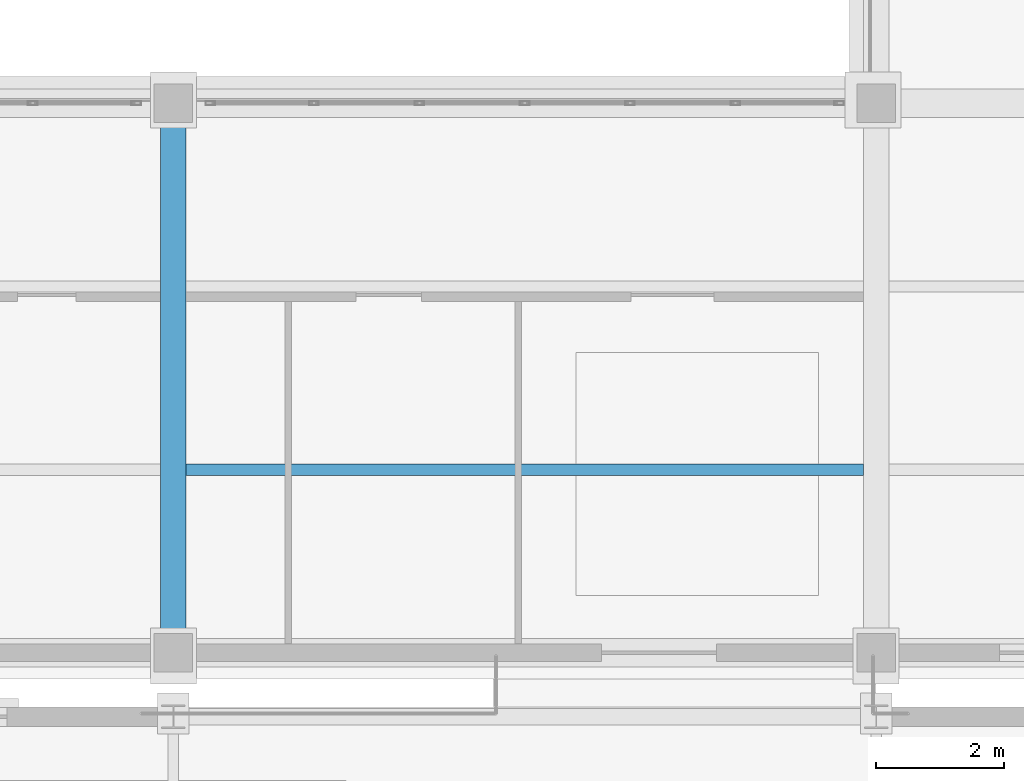
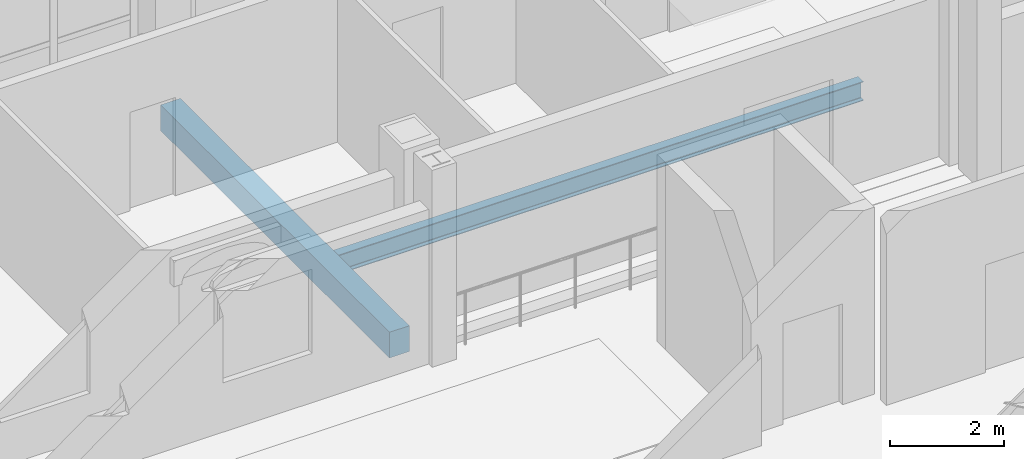
# One storey, part 58 of 120: 2 beams.
"""IFC4 building model written with IfcOpenShell, lengths in metres."""

import ifcopenshell
import ifcopenshell.guid

model = None  # the IFC model being written
_history = None  # IfcOwnerHistory: only IFC2X3 demands one
_inside = {}  # id of a spatial element -> (the spatial element, [elements in it])
_under = {}  # id of a project, library or spatial element -> (it, [spatial elements below it])
_declared = {}  # id of a project -> (the project, [libraries it declares])
_typed = {}  # id of a type object -> (the type object, [elements of that type])
_made_of = {}  # id of a material, layer set ... -> (it, [elements and type objects made of it])


def new_model(schema):
    """Start an empty IFC model of exactly this schema.

    Asked for "IFC4X3", IfcOpenShell would pick the latest addendum, in which some entities
    have other attributes; the version numbers below select the first issue.
    IFC2X3 requires an IfcOwnerHistory on every rooted entity: one is made here for all.
    """
    global model, _history
    if schema == "IFC4X3":
        model = ifcopenshell.file(schema_version=(4, 3, 0, 0))
    else:
        model = ifcopenshell.file(schema=schema)
    _inside.clear()
    _under.clear()
    _declared.clear()
    _typed.clear()
    _made_of.clear()
    _history = None
    if model.schema == "IFC2X3":
        org = make("IfcOrganization", Name="unknown")
        user = make(
            "IfcPersonAndOrganization",
            ThePerson=make("IfcPerson", FamilyName="unknown"),
            TheOrganization=org,
        )
        app = make(
            "IfcApplication",
            ApplicationDeveloper=org,
            Version="unknown",
            ApplicationFullName="unknown",
            ApplicationIdentifier="unknown",
        )
        _history = make(
            "IfcOwnerHistory",
            OwningUser=user,
            OwningApplication=app,
            ChangeAction="ADDED",
            CreationDate=0,
        )
    return model


def make(cls, **values):
    """One entity of the class cls with the attributes given. An attribute that is None is left unset."""
    return model.create_entity(
        cls, **{name: value for name, value in values.items() if value is not None}
    )


def rooted(cls, **values):
    """An entity with a GlobalId (a new one), such as an element, a storey or a relation."""
    return make(cls, GlobalId=ifcopenshell.guid.new(), OwnerHistory=_history, **values)


def si_unit(unit_type, name, prefix=None):
    """IfcSIUnit, for example si_unit("LENGTHUNIT", "METRE", prefix="MILLI")."""
    return make("IfcSIUnit", UnitType=unit_type, Prefix=prefix, Name=name)


def assignment(units):
    """IfcUnitAssignment: the units of a project."""
    return None if units is None else make("IfcUnitAssignment", Units=units)


def point(xyz):
    """IfcCartesianPoint."""
    return None if xyz is None else make("IfcCartesianPoint", Coordinates=xyz)


def direction(xyz):
    """IfcDirection."""
    return None if xyz is None else make("IfcDirection", DirectionRatios=xyz)


def frame(location, z_axis=None, x_axis=None):
    """IfcAxis2Placement3D, a coordinate frame: its origin and axes. An axis left out is left unset."""
    return make(
        "IfcAxis2Placement3D",
        Location=point(location),
        Axis=direction(z_axis),
        RefDirection=direction(x_axis),
    )


def frame_2d(location, x_axis=None):
    """IfcAxis2Placement2D, a coordinate frame in the plane: its origin and x axis."""
    return make(
        "IfcAxis2Placement2D", Location=point(location), RefDirection=direction(x_axis)
    )


def origin():
    """The frame at (0, 0, 0) with its axes left unset."""
    return frame((0.0, 0.0, 0.0))


def origin_2d():
    """The frame at (0, 0) in the plane with its x axis left unset."""
    return frame_2d((0.0, 0.0))


def place(relative_to, where):
    """IfcLocalPlacement: puts the frame where relative to a parent placement (None: the world)."""
    return make(
        "IfcLocalPlacement", PlacementRelTo=relative_to, RelativePlacement=where
    )


def context(
    kind, dimensions, precision=None, world=None, true_north=None, identifier=None
):
    """IfcGeometricRepresentationContext, for example the 3D "Model" context."""
    return make(
        "IfcGeometricRepresentationContext",
        ContextIdentifier=identifier,
        ContextType=kind,
        CoordinateSpaceDimension=dimensions,
        Precision=precision,
        WorldCoordinateSystem=world,
        TrueNorth=true_north,
    )


def subcontext(parent, identifier, kind, view, scale=None):
    """IfcGeometricRepresentationSubContext, for example "Body" below "Model"."""
    return make(
        "IfcGeometricRepresentationSubContext",
        ContextIdentifier=identifier,
        ContextType=kind,
        ParentContext=parent,
        TargetScale=scale,
        TargetView=view,
    )


def project(units=None, contexts=None):
    """IfcProject with its units and contexts."""
    return rooted(
        "IfcProject",
        Name="project",
        RepresentationContexts=contexts,
        UnitsInContext=assignment(units),
    )


def spatial(cls, under=None, at=None, **own):
    """A site, building, storey or space (cls), placed at a placement, below another one or the project."""
    s = rooted(cls, ObjectPlacement=at, **own)
    if under is not None:
        _under.setdefault(under.id(), (under, []))[1].append(s)
    return s


def profile(cls, at=None, kind="AREA", **sizes):
    """A parametric profile (cls). Its sizes go by their IFC names, for example OverallWidth=200.0."""
    return make(cls, ProfileType=kind, Position=at, **sizes)


def rectangle(**sizes):
    """IfcRectangleProfileDef."""
    return profile("IfcRectangleProfileDef", **sizes)


def i_section(**sizes):
    """IfcIShapeProfileDef."""
    return profile("IfcIShapeProfileDef", **sizes)


def extrude(swept, where, along, depth):
    """IfcExtrudedAreaSolid: the profile swept, set in the frame where, extruded along a direction by depth."""
    return make(
        "IfcExtrudedAreaSolid",
        SweptArea=swept,
        Position=where,
        ExtrudedDirection=direction(along),
        Depth=depth,
    )


def shape(context_of_items, identifier, shape_type, items):
    """IfcShapeRepresentation: the items that make up one representation, for example the "Body"."""
    return make(
        "IfcShapeRepresentation",
        ContextOfItems=context_of_items,
        RepresentationIdentifier=identifier,
        RepresentationType=shape_type,
        Items=items,
    )


def material(Name=None, Category=None):
    """IfcMaterial."""
    return make("IfcMaterial", Name=Name, Category=Category)


def material_profile(
    of_material, cross_section, Name=None, Category=None, Priority=None
):
    """IfcMaterialProfile: a cross section and its material."""
    return make(
        "IfcMaterialProfile",
        Name=Name,
        Material=of_material,
        Profile=cross_section,
        Priority=Priority,
        Category=Category,
    )


def profile_set(profiles, Name=None, composite=None):
    """IfcMaterialProfileSet."""
    return make(
        "IfcMaterialProfileSet",
        Name=Name,
        MaterialProfiles=profiles,
        CompositeProfile=composite,
    )


def made_of(thing, what):
    """Note that an element or type object is made of a material, layer set ...; save() writes the relation."""
    if what is not None:
        _made_of.setdefault(what.id(), (what, []))[1].append(thing)
    return thing


def type_object(cls, material=None, **own):
    """A type object (cls), such as IfcWallType, which elements share."""
    return made_of(rooted(cls, **own), material)


def element(
    cls,
    number,
    at=None,
    inside=None,
    cuts=None,
    type_object=None,
    material=None,
    context=None,
    identifier="Body",
    shape_type=None,
    held_by="IfcProductDefinitionShape",
    body=None,
    shapes=None,
    **own,
):
    """One element of the class cls, such as IfcWall. Its Tag is "e" and its number.

    at: its placement. inside: the storey or other place that contains it. cuts: it is an
    opening in that element (IfcRelVoidsElement). A single representation is given by context,
    identifier, shape_type and body (its items); several are given by shapes. held_by: the class
    of the entity that holds the representations. save() writes the other relations.
    """
    e = rooted(cls, Tag="e%d" % number, ObjectPlacement=at, **own)
    if body is not None:
        shapes = [shape(context, identifier, shape_type, body)]
    if shapes is not None:
        e.Representation = make(held_by, Representations=shapes)
    if inside is not None:
        _inside.setdefault(inside.id(), (inside, []))[1].append(e)
    if cuts is not None:
        rooted(
            "IfcRelVoidsElement", RelatingBuildingElement=cuts, RelatedOpeningElement=e
        )
    if type_object is not None:
        _typed.setdefault(type_object.id(), (type_object, []))[1].append(e)
    return made_of(e, material)


def aggregate(whole, parts):
    """IfcRelAggregates: a whole, such as a stair, and the parts it consists of."""
    return rooted("IfcRelAggregates", RelatingObject=whole, RelatedObjects=parts)


def save(model, path):
    """Write the relations noted so far, then the file.

    IfcRelAggregates (storeys below a building ...), IfcRelContainedInSpatialStructure (elements
    in a storey), IfcRelDefinesByType, IfcRelAssociatesMaterial and IfcRelDeclares: one each for
    every whole, place, type object, material and project.
    """
    for whole, parts in _under.values():
        aggregate(whole, parts)
    for where, things in _inside.values():
        rooted(
            "IfcRelContainedInSpatialStructure",
            RelatedElements=things,
            RelatingStructure=where,
        )
    for kind, things in _typed.values():
        rooted("IfcRelDefinesByType", RelatedObjects=things, RelatingType=kind)
    for what, things in _made_of.values():
        rooted("IfcRelAssociatesMaterial", RelatedObjects=things, RelatingMaterial=what)
    for by, libraries in _declared.values():
        rooted("IfcRelDeclares", RelatingContext=by, RelatedDefinitions=libraries)
    model.write(path)


model = new_model("IFC4")

# Units and contexts
model_context = context("Model", 3, precision=1e-05, world=origin(), true_north=direction((0.0, 1.0)))
body_context = subcontext(model_context, "Body", "Model", "MODEL_VIEW")
ifc_project = project(units=[si_unit("LENGTHUNIT", "METRE"), si_unit("AREAUNIT", "SQUARE_METRE"), si_unit("VOLUMEUNIT", "CUBIC_METRE"), si_unit("PLANEANGLEUNIT", "RADIAN"), si_unit("MASSUNIT", "GRAM", prefix="KILO")], contexts=[model_context])

# Site, building, storey
site_placement = place(None, origin())
site = spatial("IfcSite", under=ifc_project, at=site_placement, CompositionType="ELEMENT")
building_placement = place(site_placement, origin())
building = spatial("IfcBuilding", under=site, at=building_placement, Name="Caurita Quay Ferry Terminal", CompositionType="ELEMENT")
storey_placement = place(building_placement, frame((0.0, 0.0, 9.89990234375)))
storey = spatial("IfcBuildingStorey", under=building, at=storey_placement, Name="L02", CompositionType="ELEMENT", Elevation=9.89990234375)

# Beams
ifc_material_1 = material(Name="Structural steel ASTM A992 Gr. 50", Category="steel")
ifc_material_profile_1 = material_profile(ifc_material_1, i_section(OverallWidth=0.1787109375, OverallDepth=0.408935546875, WebThickness=0.0087890625, FlangeThickness=0.014404296875, FilletRadius=0.011474609375, at=origin_2d()), Name="W16X45")
ifc_profile_set_1 = profile_set([ifc_material_profile_1], Name="Structural steel ASTM A992 Gr. 50")
beam_type_1 = type_object("IfcBeamType", Name="BM-JS-W16A", PredefinedType="JOIST", material=ifc_profile_set_1)
beam_1_placement = place(storey_placement, frame((55.199951171875, 74.466796875, -0.42431640625), z_axis=(1.0, 0.0, 0.0), x_axis=(0.0, 1.0, 0.0)))
element("IfcBeam", 1, at=beam_1_placement, inside=storey, type_object=beam_type_1, Name="L02 Beam JS-V5-L02-037", PredefinedType="JOIST", context=body_context, shape_type="SweptSolid", body=[
    extrude(i_section(OverallWidth=0.1787109375, OverallDepth=0.408935546875, WebThickness=0.0087890625, FlangeThickness=0.014404296875, FilletRadius=0.011474609375, at=origin_2d()), origin(), (0.0, 0.0, 1.0), 10.60009765625),
])
ifc_material_2 = material(Name="Reinforced concrete C35/45", Category="concrete")
ifc_material_profile_2 = material_profile(ifc_material_2, rectangle(XDim=0.39990234375, YDim=0.550048828125, at=origin_2d()), Name="RC-BM-400X550")
ifc_profile_set_2 = profile_set([ifc_material_profile_2], Name="Reinforced concrete C35/45")
beam_type_2 = type_object("IfcBeamType", Name="BM-RC-4055", PredefinedType="BEAM", material=ifc_profile_set_2)
beam_2_placement = place(storey_placement, frame((55.0, 71.8974609375, -0.494873046875), z_axis=(0.0, 1.0, 0.0), x_axis=(-1.0, 0.0, 0.0)))
element("IfcBeam", 2, at=beam_2_placement, inside=storey, type_object=beam_type_2, Name="L02 Beam BM-V5-L02-Y-550-719", PredefinedType="BEAM", context=body_context, shape_type="SweptSolid", body=[
    extrude(rectangle(XDim=0.39990234375, YDim=0.550048828125, at=origin_2d()), origin(), (0.0, 0.0, 1.0), 8.005126953125),
])

save(model, "model.ifc")
